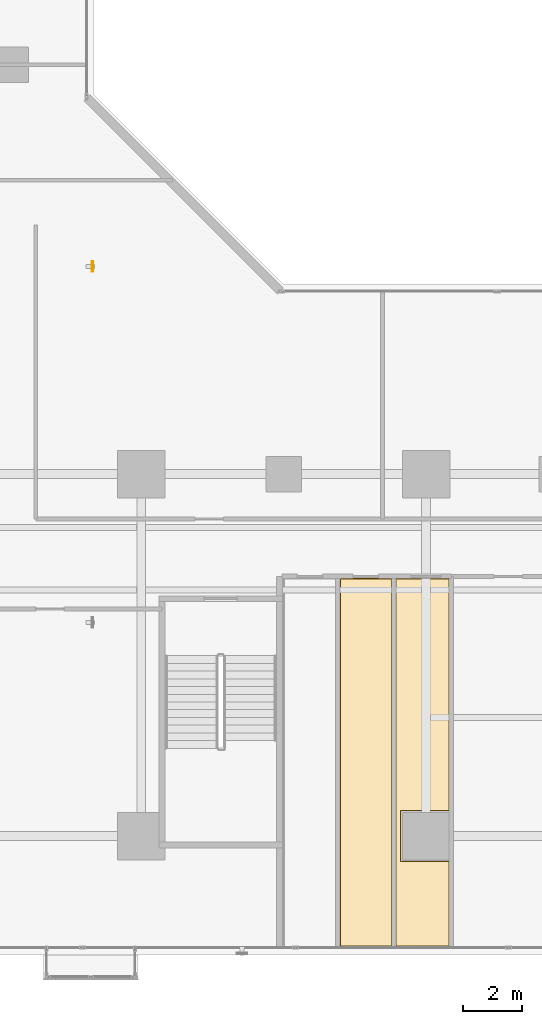
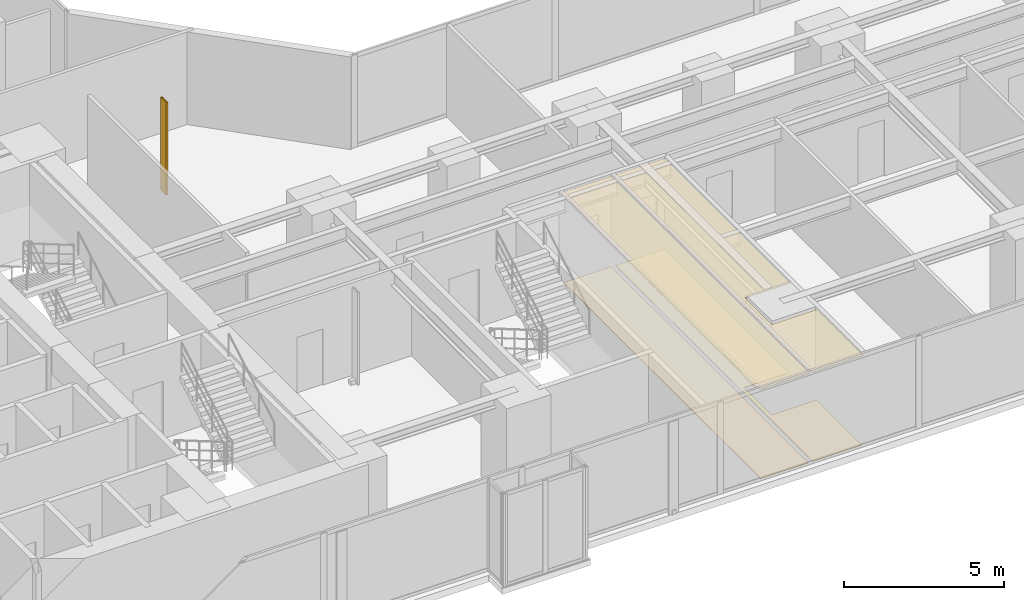
# One storey, part 26 of 27: 4 coverings, 1 shading device.
"""IFC4 building model written with IfcOpenShell, lengths in metres."""

from ifc_helpers import new_model, si_unit, direction, frame, origin, origin_2d, place, context, subcontext, project, spatial, polyline, hollow_rectangle, outline, extrude, material, layer, layer_set, material_profile, profile_set, type_object, element, save


model = new_model("IFC4")

# Units and contexts
model_context = context("Model", 3, precision=1e-05, world=origin(), true_north=direction((0.0, 1.0)))
body_context = subcontext(model_context, "Body", "Model", "MODEL_VIEW")
ifc_project = project(units=[si_unit("LENGTHUNIT", "METRE"), si_unit("AREAUNIT", "SQUARE_METRE"), si_unit("VOLUMEUNIT", "CUBIC_METRE"), si_unit("PLANEANGLEUNIT", "RADIAN"), si_unit("MASSUNIT", "GRAM", prefix="KILO")], contexts=[model_context])

# Site, building, storey
site_placement = place(None, origin())
site = spatial("IfcSite", under=ifc_project, at=site_placement, CompositionType="ELEMENT")
building_placement = place(site_placement, origin())
building = spatial("IfcBuilding", under=site, at=building_placement, Name="Kolvaren Waterfront Exchange", CompositionType="ELEMENT")
storey_placement = place(building_placement, frame((0.0, 0.0, 60.0)))
storey = spatial("IfcBuildingStorey", under=building, at=storey_placement, Name="L15", CompositionType="ELEMENT", Elevation=60.0)

# Coverings
ifc_material_1 = material(Name="Mineral fibre acoustic ceiling tile")
ifc_layer_1 = layer(ifc_material_1, 0.02490234375, Name="Mineral fibre acoustic ceiling tile")
ifc_layer_set_1 = layer_set([ifc_layer_1], Name="Mineral fibre acoustic ceiling tile")
covering_type_1 = type_object("IfcCoveringType", Name="ARC-CEIL-ACOUSTIC-25", PredefinedType="CEILING", material=ifc_layer_set_1)
covering_1_placement = place(storey_placement, frame((0.0, 0.0, 3.425048828125)))
element("IfcCovering", 1, at=covering_1_placement, inside=storey, type_object=covering_type_1, Name="L15 acoustic suspended ceiling 2", PredefinedType="CEILING", context=body_context, shape_type="SweptSolid", body=[
    extrude(outline(polyline([(35.6650390625, 1.465087890625), (35.6650390625, 13.89501953125), (33.875, 13.89501953125), (33.875, 1.465087890625), (35.6650390625, 1.465087890625)])), origin(), (0.0, 0.0, 1.0), 0.02490234375),
])
covering_2_placement = place(storey_placement, frame((0.0, 0.0, 3.425048828125)))
element("IfcCovering", 2, at=covering_2_placement, inside=storey, type_object=covering_type_1, Name="L15 acoustic suspended ceiling 3", PredefinedType="CEILING", context=body_context, shape_type="SweptSolid", body=[
    extrude(outline(polyline([(37.60498046875, 4.360107421875), (35.9599609375, 4.360107421875), (35.9599609375, 6.0400390625), (37.60498046875, 6.0400390625), (37.60498046875, 13.89501953125), (35.7548828125, 13.89501953125), (35.7548828125, 1.465087890625), (37.60498046875, 1.465087890625), (37.60498046875, 4.360107421875)])), origin(), (0.0, 0.0, 1.0), 0.02490234375),
])

# Shading device
ifc_material_2 = material(Name="Anodised bronze aluminium 6063-T6", Category="aluminium")
ifc_material_profile = material_profile(ifc_material_2, hollow_rectangle(XDim=0.06005859375, YDim=0.35009765625, WallThickness=0.0048828125, at=origin_2d()), Name="BRZ-FIN-350x60x5")
ifc_profile_set = profile_set([ifc_material_profile], Name="Anodised bronze aluminium 6063-T6")
shading_device_type = type_object("IfcShadingDeviceType", Name="ARC-FIN-350", PredefinedType="USERDEFINED", material=ifc_profile_set)
shading_device_placement = place(storey_placement, frame((25.56005859375, 24.39990234375, 0.0), z_axis=(0.0, 0.0, 1.0), x_axis=(1.0, 0.0, 0.0)))
element("IfcShadingDevice", 3, at=shading_device_placement, inside=storey, type_object=shading_device_type, Name="L15 anodised bronze solar shading fin FIN-L15-E2", ObjectType="SOLAR FIN", PredefinedType="USERDEFINED", context=body_context, shape_type="SweptSolid", body=[
    extrude(hollow_rectangle(XDim=0.06005859375, YDim=0.35009765625, WallThickness=0.0048828125, at=origin_2d()), origin(), (0.0, 0.0, 1.0), 3.5400390625),
])

# Coverings
ifc_material_3 = material(Name="Slip-resistant porcelain tile")
ifc_layer_2 = layer(ifc_material_3, 0.014892578125, Name="Slip-resistant porcelain tile")
ifc_layer_set_2 = layer_set([ifc_layer_2], Name="Slip-resistant porcelain tile")
covering_type_2 = type_object("IfcCoveringType", Name="ARC-FLR-PORC-15", PredefinedType="FLOORING", material=ifc_layer_set_2)
covering_3_placement = place(storey_placement, origin())
element("IfcCovering", 4, at=covering_3_placement, inside=storey, type_object=covering_type_2, Name="L15 floor finish 2", PredefinedType="FLOORING", context=body_context, shape_type="SweptSolid", body=[
    extrude(outline(polyline([(33.909912109375, 13.860107421875), (33.909912109375, 1.5), (35.6298828125, 1.5), (35.6298828125, 13.860107421875), (33.909912109375, 13.860107421875)])), origin(), (0.0, 0.0, 1.0), 0.014892578125),
])
covering_4_placement = place(storey_placement, origin())
element("IfcCovering", 5, at=covering_4_placement, inside=storey, type_object=covering_type_2, Name="L15 floor finish 3", PredefinedType="FLOORING", context=body_context, shape_type="SweptSolid", body=[
    extrude(outline(polyline([(35.7900390625, 13.860107421875), (35.7900390625, 1.5), (37.570068359375, 1.5), (37.570068359375, 4.340087890625), (35.93994140625, 4.340087890625), (35.93994140625, 6.06005859375), (37.570068359375, 6.06005859375), (37.570068359375, 13.860107421875), (35.7900390625, 13.860107421875)])), origin(), (0.0, 0.0, 1.0), 0.014892578125),
])

save(model, "model.ifc")
